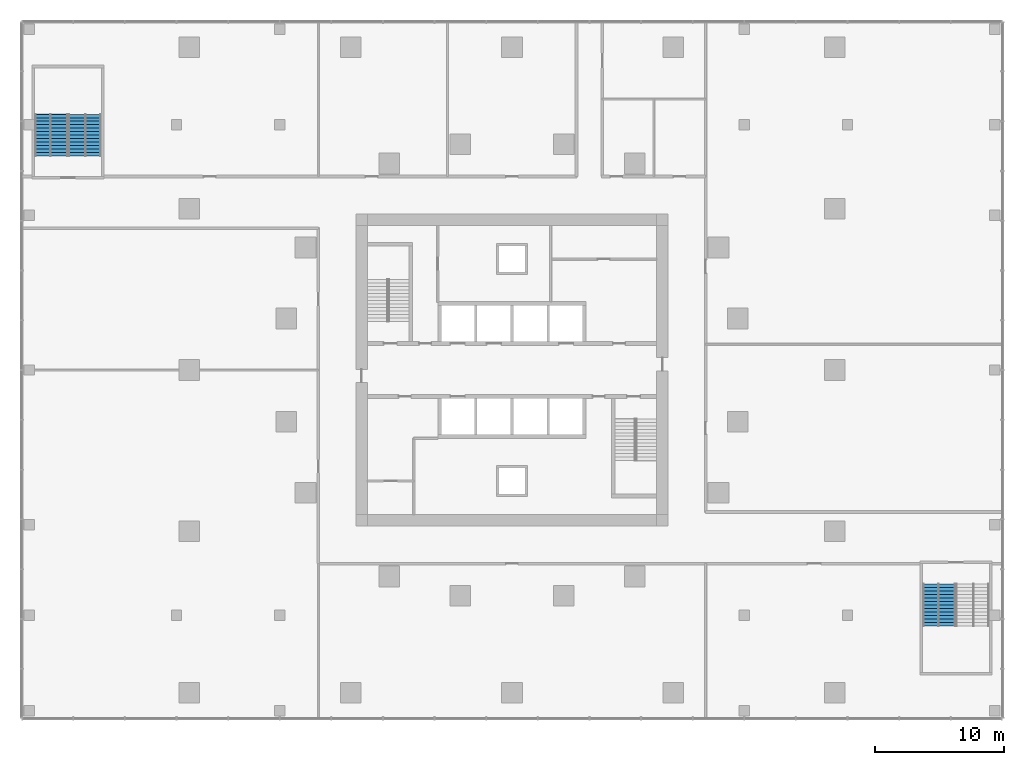
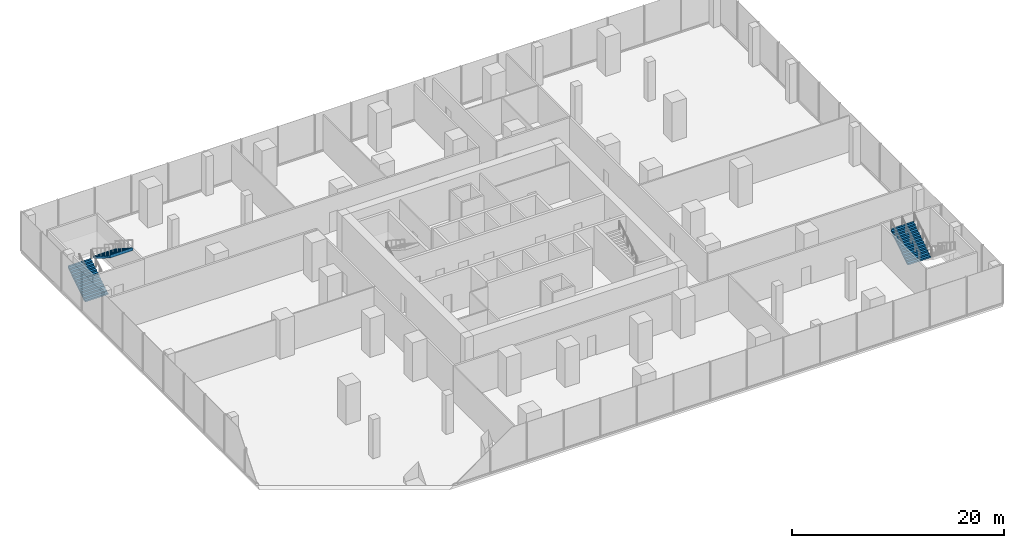
# One storey, part 13 of 15: 3 stair flights, 2 elements without a shape of their own.
"""IFC4 building model written with IfcOpenShell, lengths in metres."""

from ifc_helpers import new_model, si_unit, direction, frame, origin, place, context, subcontext, project, spatial, faceted_brep, material, type_object, element, aggregate, save


model = new_model("IFC4")

# Units and contexts
model_context = context("Model", 3, precision=1e-05, world=origin(), true_north=direction((0.0, 1.0)))
body_context = subcontext(model_context, "Body", "Model", "MODEL_VIEW")
ifc_project = project(units=[si_unit("LENGTHUNIT", "METRE"), si_unit("AREAUNIT", "SQUARE_METRE"), si_unit("VOLUMEUNIT", "CUBIC_METRE"), si_unit("PLANEANGLEUNIT", "RADIAN"), si_unit("MASSUNIT", "GRAM", prefix="KILO")], contexts=[model_context])

# Site, building, storey
site_placement = place(None, origin())
site = spatial("IfcSite", under=ifc_project, at=site_placement, CompositionType="ELEMENT")
building_placement = place(site_placement, origin())
building = spatial("IfcBuilding", under=site, at=building_placement, Name="Torsade Residences", CompositionType="ELEMENT")
storey_placement = place(building_placement, frame((0.0, 0.0, 6.0)))
storey = spatial("IfcBuildingStorey", under=building, at=storey_placement, Name="L01", CompositionType="ELEMENT", Elevation=6.0)

# Stair, stair flights
ifc_material_1 = material(Name="Concrete 40 MPa", Category="concrete")
stair_type = type_object("IfcStairType", Name="HALF-TURN PODIUM STAIR 2500x4500", PredefinedType="HALF_TURN_STAIR", material=ifc_material_1)
stair_1_placement = place(storey_placement, origin())
stair_1 = element("IfcStair", 1, at=stair_1_placement, inside=storey, type_object=stair_type, Name="Stair ST3 L01", PredefinedType="HALF_TURN_STAIR")
ifc_material_2 = material(Name="Concrete 40 MPa", Category="concrete")
stair_flight_type = type_object("IfcStairFlightType", Name="PODIUM STAIR FLIGHT 2500x2250", PredefinedType="STRAIGHT", material=ifc_material_2)
stair_flight_1_placement = place(storey_placement, frame((4.25, 46.580078125, 0.0), z_axis=(0.0, 0.0, 1.0), x_axis=(0.0, 1.0, 0.0)))
stair_flight_1 = element("IfcStairFlight", 2, at=stair_flight_1_placement, type_object=stair_flight_type, Name="ST3 flight 1", NumberOfRisers=13, NumberOfTreads=12, PredefinedType="STRAIGHT", RiserHeight=0.173076923, TreadLength=0.27, context=body_context, shape_type="Brep", body=[
    faceted_brep([(0.0, 1.25, 0.0), (0.0, 1.25, 0.173095703125), (0.27001953125, 1.25, 0.173095703125), (0.27001953125, 1.25, 0.34619140625), (0.5400390625, 1.25, 0.34619140625), (0.5400390625, 1.25, 0.519287109375), (0.81005859375, 1.25, 0.519287109375), (0.81005859375, 1.25, 0.6923828125), (1.080078125, 1.25, 0.6923828125), (1.080078125, 1.25, 0.865478515625), (1.35009765625, 1.25, 0.865478515625), (1.35009765625, 1.25, 1.03857421875), (1.6201171875, 1.25, 1.03857421875), (1.6201171875, 1.25, 1.21142578125), (1.889892578125, 1.25, 1.21142578125), (1.889892578125, 1.25, 1.384521484375), (2.159912109375, 1.25, 1.384521484375), (2.159912109375, 1.25, 1.5576171875), (2.429931640625, 1.25, 1.5576171875), (2.429931640625, 1.25, 1.730712890625), (2.699951171875, 1.25, 1.730712890625), (2.699951171875, 1.25, 1.90380859375), (2.969970703125, 1.25, 1.90380859375), (2.969970703125, 1.25, 2.076904296875), (3.239990234375, 1.25, 2.076904296875), (3.239990234375, 1.25, 2.25), (3.25, 1.25, 2.25), (3.25, 1.25, 1.89892578125), (3.239990234375, 1.25, 1.89892578125), (0.27783203125, 1.25, 0.0), (0.27783203125, -1.25, 0.0), (3.239990234375, -1.25, 1.89892578125), (3.25, -1.25, 1.89892578125), (3.25, -1.25, 2.25), (3.239990234375, -1.25, 2.25), (3.239990234375, -1.25, 2.076904296875), (2.969970703125, -1.25, 2.076904296875), (2.969970703125, -1.25, 1.90380859375), (2.699951171875, -1.25, 1.90380859375), (2.699951171875, -1.25, 1.730712890625), (2.429931640625, -1.25, 1.730712890625), (2.429931640625, -1.25, 1.5576171875), (2.159912109375, -1.25, 1.5576171875), (2.159912109375, -1.25, 1.384521484375), (1.889892578125, -1.25, 1.384521484375), (1.889892578125, -1.25, 1.21142578125), (1.6201171875, -1.25, 1.21142578125), (1.6201171875, -1.25, 1.03857421875), (1.35009765625, -1.25, 1.03857421875), (1.35009765625, -1.25, 0.865478515625), (1.080078125, -1.25, 0.865478515625), (1.080078125, -1.25, 0.6923828125), (0.81005859375, -1.25, 0.6923828125), (0.81005859375, -1.25, 0.519287109375), (0.5400390625, -1.25, 0.519287109375), (0.5400390625, -1.25, 0.34619140625), (0.27001953125, -1.25, 0.34619140625), (0.27001953125, -1.25, 0.173095703125), (0.0, -1.25, 0.173095703125), (0.0, -1.25, 0.0), (0.0, 0.75, 0.0), (0.0, 0.75, 0.173095703125), (0.0, 0.25, 0.0), (0.0, 0.25, 0.173095703125), (0.0, -0.25, 0.0), (0.0, -0.25, 0.173095703125), (0.0, -0.75, 0.0), (0.0, -0.75, 0.173095703125), (0.27001953125, 0.75, 0.173095703125), (0.27001953125, 0.25, 0.173095703125), (0.27001953125, -0.25, 0.173095703125), (0.27001953125, -0.75, 0.173095703125), (0.27001953125, 0.75, 0.34619140625), (0.27001953125, 0.25, 0.34619140625), (0.27001953125, -0.25, 0.34619140625), (0.27001953125, -0.75, 0.34619140625), (0.5400390625, 0.75, 0.34619140625), (0.5400390625, 0.25, 0.34619140625), (0.5400390625, -0.25, 0.34619140625), (0.5400390625, -0.75, 0.34619140625), (0.5400390625, 0.75, 0.519287109375), (0.5400390625, 0.25, 0.519287109375), (0.5400390625, -0.25, 0.519287109375), (0.5400390625, -0.75, 0.519287109375), (0.81005859375, 0.75, 0.519287109375), (0.81005859375, 0.25, 0.519287109375), (0.81005859375, -0.25, 0.519287109375), (0.81005859375, -0.75, 0.519287109375), (0.81005859375, 0.75, 0.6923828125), (0.81005859375, 0.25, 0.6923828125), (0.81005859375, -0.25, 0.6923828125), (0.81005859375, -0.75, 0.6923828125), (1.080078125, 0.75, 0.6923828125), (1.080078125, 0.25, 0.6923828125), (1.080078125, -0.25, 0.6923828125), (1.080078125, -0.75, 0.6923828125), (1.080078125, 0.75, 0.865478515625), (1.080078125, 0.25, 0.865478515625), (1.080078125, -0.25, 0.865478515625), (1.080078125, -0.75, 0.865478515625), (1.35009765625, 0.75, 0.865478515625), (1.35009765625, 0.25, 0.865478515625), (1.35009765625, -0.25, 0.865478515625), (1.35009765625, -0.75, 0.865478515625), (1.35009765625, 0.75, 1.03857421875), (1.35009765625, 0.25, 1.03857421875), (1.35009765625, -0.25, 1.03857421875), (1.35009765625, -0.75, 1.03857421875), (1.6201171875, 0.75, 1.03857421875), (1.6201171875, 0.25, 1.03857421875), (1.6201171875, -0.25, 1.03857421875), (1.6201171875, -0.75, 1.03857421875), (1.6201171875, 0.75, 1.21142578125), (1.6201171875, 0.25, 1.21142578125), (1.6201171875, -0.25, 1.21142578125), (1.6201171875, -0.75, 1.21142578125), (1.889892578125, 0.75, 1.21142578125), (1.889892578125, 0.25, 1.21142578125), (1.889892578125, -0.25, 1.21142578125), (1.889892578125, -0.75, 1.21142578125), (1.889892578125, 0.75, 1.384521484375), (1.889892578125, 0.25, 1.384521484375), (1.889892578125, -0.25, 1.384521484375), (1.889892578125, -0.75, 1.384521484375), (2.159912109375, 0.75, 1.384521484375), (2.159912109375, 0.25, 1.384521484375), (2.159912109375, -0.25, 1.384521484375), (2.159912109375, -0.75, 1.384521484375), (2.159912109375, 0.75, 1.5576171875), (2.159912109375, 0.25, 1.5576171875), (2.159912109375, -0.25, 1.5576171875), (2.159912109375, -0.75, 1.5576171875), (2.429931640625, 0.75, 1.5576171875), (2.429931640625, 0.25, 1.5576171875), (2.429931640625, -0.25, 1.5576171875), (2.429931640625, -0.75, 1.5576171875), (2.429931640625, 0.75, 1.730712890625), (2.429931640625, 0.25, 1.730712890625), (2.429931640625, -0.25, 1.730712890625), (2.429931640625, -0.75, 1.730712890625), (2.699951171875, 0.75, 1.730712890625), (2.699951171875, 0.25, 1.730712890625), (2.699951171875, -0.25, 1.730712890625), (2.699951171875, -0.75, 1.730712890625), (2.699951171875, 0.75, 1.90380859375), (2.699951171875, 0.25, 1.90380859375), (2.699951171875, -0.25, 1.90380859375), (2.699951171875, -0.75, 1.90380859375), (2.969970703125, 0.75, 1.90380859375), (2.969970703125, 0.25, 1.90380859375), (2.969970703125, -0.25, 1.90380859375), (2.969970703125, -0.75, 1.90380859375), (2.969970703125, 0.75, 2.076904296875), (2.969970703125, 0.25, 2.076904296875), (2.969970703125, -0.25, 2.076904296875), (2.969970703125, -0.75, 2.076904296875), (3.239990234375, 0.75, 2.076904296875), (3.239990234375, 0.25, 2.076904296875), (3.239990234375, -0.25, 2.076904296875), (3.239990234375, -0.75, 2.076904296875), (3.239990234375, 0.75, 2.25), (3.239990234375, 0.25, 2.25), (3.239990234375, -0.25, 2.25), (3.239990234375, -0.75, 2.25), (3.25, 0.75, 2.25), (3.25, 0.25, 2.25), (3.25, -0.25, 2.25), (3.25, -0.75, 2.25), (3.25, 0.75, 1.89892578125), (3.25, 0.25, 1.89892578125), (3.25, -0.25, 1.89892578125), (3.25, -0.75, 1.89892578125), (3.239990234375, 0.75, 1.89892578125), (3.239990234375, 0.25, 1.89892578125), (3.239990234375, -0.25, 1.89892578125), (3.239990234375, -0.75, 1.89892578125), (0.27783203125, 0.75, 0.0), (0.27783203125, 0.25, 0.0), (0.27783203125, -0.25, 0.0), (0.27783203125, -0.75, 0.0)], [[[0, 1, 2, 3, 4, 5, 6, 7, 8, 9, 10, 11, 12, 13, 14, 15, 16, 17, 18, 19, 20, 21, 22, 23, 24, 25, 26, 27, 28, 29]], [[30, 31, 32, 33, 34, 35, 36, 37, 38, 39, 40, 41, 42, 43, 44, 45, 46, 47, 48, 49, 50, 51, 52, 53, 54, 55, 56, 57, 58, 59]], [[60, 61, 1, 0]], [[62, 63, 61, 60]], [[64, 65, 63, 62]], [[66, 67, 65, 64]], [[59, 58, 67, 66]], [[61, 68, 2, 1]], [[63, 69, 68, 61]], [[65, 70, 69, 63]], [[67, 71, 70, 65]], [[58, 57, 71, 67]], [[68, 72, 3, 2]], [[69, 73, 72, 68]], [[70, 74, 73, 69]], [[71, 75, 74, 70]], [[57, 56, 75, 71]], [[72, 76, 4, 3]], [[73, 77, 76, 72]], [[74, 78, 77, 73]], [[75, 79, 78, 74]], [[56, 55, 79, 75]], [[76, 80, 5, 4]], [[77, 81, 80, 76]], [[78, 82, 81, 77]], [[79, 83, 82, 78]], [[55, 54, 83, 79]], [[80, 84, 6, 5]], [[81, 85, 84, 80]], [[82, 86, 85, 81]], [[83, 87, 86, 82]], [[54, 53, 87, 83]], [[84, 88, 7, 6]], [[85, 89, 88, 84]], [[86, 90, 89, 85]], [[87, 91, 90, 86]], [[53, 52, 91, 87]], [[88, 92, 8, 7]], [[89, 93, 92, 88]], [[90, 94, 93, 89]], [[91, 95, 94, 90]], [[52, 51, 95, 91]], [[92, 96, 9, 8]], [[93, 97, 96, 92]], [[94, 98, 97, 93]], [[95, 99, 98, 94]], [[51, 50, 99, 95]], [[96, 100, 10, 9]], [[97, 101, 100, 96]], [[98, 102, 101, 97]], [[99, 103, 102, 98]], [[50, 49, 103, 99]], [[100, 104, 11, 10]], [[101, 105, 104, 100]], [[102, 106, 105, 101]], [[103, 107, 106, 102]], [[49, 48, 107, 103]], [[104, 108, 12, 11]], [[105, 109, 108, 104]], [[106, 110, 109, 105]], [[107, 111, 110, 106]], [[48, 47, 111, 107]], [[108, 112, 13, 12]], [[109, 113, 112, 108]], [[110, 114, 113, 109]], [[111, 115, 114, 110]], [[47, 46, 115, 111]], [[112, 116, 14, 13]], [[113, 117, 116, 112]], [[114, 118, 117, 113]], [[115, 119, 118, 114]], [[46, 45, 119, 115]], [[116, 120, 15, 14]], [[117, 121, 120, 116]], [[118, 122, 121, 117]], [[119, 123, 122, 118]], [[45, 44, 123, 119]], [[120, 124, 16, 15]], [[121, 125, 124, 120]], [[122, 126, 125, 121]], [[123, 127, 126, 122]], [[44, 43, 127, 123]], [[124, 128, 17, 16]], [[125, 129, 128, 124]], [[126, 130, 129, 125]], [[127, 131, 130, 126]], [[43, 42, 131, 127]], [[128, 132, 18, 17]], [[129, 133, 132, 128]], [[130, 134, 133, 129]], [[131, 135, 134, 130]], [[42, 41, 135, 131]], [[132, 136, 19, 18]], [[133, 137, 136, 132]], [[134, 138, 137, 133]], [[135, 139, 138, 134]], [[41, 40, 139, 135]], [[136, 140, 20, 19]], [[137, 141, 140, 136]], [[138, 142, 141, 137]], [[139, 143, 142, 138]], [[40, 39, 143, 139]], [[140, 144, 21, 20]], [[141, 145, 144, 140]], [[142, 146, 145, 141]], [[143, 147, 146, 142]], [[39, 38, 147, 143]], [[144, 148, 22, 21]], [[145, 149, 148, 144]], [[146, 150, 149, 145]], [[147, 151, 150, 146]], [[38, 37, 151, 147]], [[148, 152, 23, 22]], [[149, 153, 152, 148]], [[150, 154, 153, 149]], [[151, 155, 154, 150]], [[37, 36, 155, 151]], [[152, 156, 24, 23]], [[153, 157, 156, 152]], [[154, 158, 157, 153]], [[155, 159, 158, 154]], [[36, 35, 159, 155]], [[156, 160, 25, 24]], [[157, 161, 160, 156]], [[158, 162, 161, 157]], [[159, 163, 162, 158]], [[35, 34, 163, 159]], [[160, 164, 26, 25]], [[161, 165, 164, 160]], [[162, 166, 165, 161]], [[163, 167, 166, 162]], [[34, 33, 167, 163]], [[164, 168, 27, 26]], [[165, 169, 168, 164]], [[166, 170, 169, 165]], [[167, 171, 170, 166]], [[33, 32, 171, 167]], [[168, 172, 28, 27]], [[169, 173, 172, 168]], [[170, 174, 173, 169]], [[171, 175, 174, 170]], [[32, 31, 175, 171]], [[172, 176, 29, 28]], [[173, 177, 176, 172]], [[174, 178, 177, 173]], [[175, 179, 178, 174]], [[31, 30, 179, 175]], [[176, 60, 0, 29]], [[177, 62, 60, 176]], [[178, 64, 62, 177]], [[179, 66, 64, 178]], [[30, 59, 66, 179]]]),
])
stair_flight_2_placement = place(storey_placement, frame((6.949951171875, 49.820068359375, 2.25), z_axis=(0.0, 0.0, 1.0), x_axis=(0.0, -1.0, 0.0)))
stair_flight_2 = element("IfcStairFlight", 3, at=stair_flight_2_placement, type_object=stair_flight_type, Name="ST3 flight 2", NumberOfRisers=13, NumberOfTreads=12, PredefinedType="STRAIGHT", RiserHeight=0.173076923, TreadLength=0.27, context=body_context, shape_type="Brep", body=[
    faceted_brep([(0.0, 1.25, 0.0), (0.0, 1.25, 0.173095703125), (0.27001953125, 1.25, 0.173095703125), (0.27001953125, 1.25, 0.34619140625), (0.5400390625, 1.25, 0.34619140625), (0.5400390625, 1.25, 0.519287109375), (0.81005859375, 1.25, 0.519287109375), (0.81005859375, 1.25, 0.6923828125), (1.080078125, 1.25, 0.6923828125), (1.080078125, 1.25, 0.865478515625), (1.35009765625, 1.25, 0.865478515625), (1.35009765625, 1.25, 1.03857421875), (1.6201171875, 1.25, 1.03857421875), (1.6201171875, 1.25, 1.21142578125), (1.889892578125, 1.25, 1.21142578125), (1.889892578125, 1.25, 1.384521484375), (2.159912109375, 1.25, 1.384521484375), (2.159912109375, 1.25, 1.5576171875), (2.429931640625, 1.25, 1.5576171875), (2.429931640625, 1.25, 1.730712890625), (2.699951171875, 1.25, 1.730712890625), (2.699951171875, 1.25, 1.90380859375), (2.969970703125, 1.25, 1.90380859375), (2.969970703125, 1.25, 2.076904296875), (3.239990234375, 1.25, 2.076904296875), (3.239990234375, 1.25, 2.25), (3.25, 1.25, 2.25), (3.25, 1.25, 1.89892578125), (3.239990234375, 1.25, 1.89892578125), (0.27783203125, 1.25, 0.0), (0.27783203125, -1.25, 0.0), (3.239990234375, -1.25, 1.89892578125), (3.25, -1.25, 1.89892578125), (3.25, -1.25, 2.25), (3.239990234375, -1.25, 2.25), (3.239990234375, -1.25, 2.076904296875), (2.969970703125, -1.25, 2.076904296875), (2.969970703125, -1.25, 1.90380859375), (2.699951171875, -1.25, 1.90380859375), (2.699951171875, -1.25, 1.730712890625), (2.429931640625, -1.25, 1.730712890625), (2.429931640625, -1.25, 1.5576171875), (2.159912109375, -1.25, 1.5576171875), (2.159912109375, -1.25, 1.384521484375), (1.889892578125, -1.25, 1.384521484375), (1.889892578125, -1.25, 1.21142578125), (1.6201171875, -1.25, 1.21142578125), (1.6201171875, -1.25, 1.03857421875), (1.35009765625, -1.25, 1.03857421875), (1.35009765625, -1.25, 0.865478515625), (1.080078125, -1.25, 0.865478515625), (1.080078125, -1.25, 0.6923828125), (0.81005859375, -1.25, 0.6923828125), (0.81005859375, -1.25, 0.519287109375), (0.5400390625, -1.25, 0.519287109375), (0.5400390625, -1.25, 0.34619140625), (0.27001953125, -1.25, 0.34619140625), (0.27001953125, -1.25, 0.173095703125), (0.0, -1.25, 0.173095703125), (0.0, -1.25, 0.0), (0.0, 0.75, 0.0), (0.0, 0.75, 0.173095703125), (0.0, 0.25, 0.0), (0.0, 0.25, 0.173095703125), (0.0, -0.25, 0.0), (0.0, -0.25, 0.173095703125), (0.0, -0.75, 0.0), (0.0, -0.75, 0.173095703125), (0.27001953125, 0.75, 0.173095703125), (0.27001953125, 0.25, 0.173095703125), (0.27001953125, -0.25, 0.173095703125), (0.27001953125, -0.75, 0.173095703125), (0.27001953125, 0.75, 0.34619140625), (0.27001953125, 0.25, 0.34619140625), (0.27001953125, -0.25, 0.34619140625), (0.27001953125, -0.75, 0.34619140625), (0.5400390625, 0.75, 0.34619140625), (0.5400390625, 0.25, 0.34619140625), (0.5400390625, -0.25, 0.34619140625), (0.5400390625, -0.75, 0.34619140625), (0.5400390625, 0.75, 0.519287109375), (0.5400390625, 0.25, 0.519287109375), (0.5400390625, -0.25, 0.519287109375), (0.5400390625, -0.75, 0.519287109375), (0.81005859375, 0.75, 0.519287109375), (0.81005859375, 0.25, 0.519287109375), (0.81005859375, -0.25, 0.519287109375), (0.81005859375, -0.75, 0.519287109375), (0.81005859375, 0.75, 0.6923828125), (0.81005859375, 0.25, 0.6923828125), (0.81005859375, -0.25, 0.6923828125), (0.81005859375, -0.75, 0.6923828125), (1.080078125, 0.75, 0.6923828125), (1.080078125, 0.25, 0.6923828125), (1.080078125, -0.25, 0.6923828125), (1.080078125, -0.75, 0.6923828125), (1.080078125, 0.75, 0.865478515625), (1.080078125, 0.25, 0.865478515625), (1.080078125, -0.25, 0.865478515625), (1.080078125, -0.75, 0.865478515625), (1.35009765625, 0.75, 0.865478515625), (1.35009765625, 0.25, 0.865478515625), (1.35009765625, -0.25, 0.865478515625), (1.35009765625, -0.75, 0.865478515625), (1.35009765625, 0.75, 1.03857421875), (1.35009765625, 0.25, 1.03857421875), (1.35009765625, -0.25, 1.03857421875), (1.35009765625, -0.75, 1.03857421875), (1.6201171875, 0.75, 1.03857421875), (1.6201171875, 0.25, 1.03857421875), (1.6201171875, -0.25, 1.03857421875), (1.6201171875, -0.75, 1.03857421875), (1.6201171875, 0.75, 1.21142578125), (1.6201171875, 0.25, 1.21142578125), (1.6201171875, -0.25, 1.21142578125), (1.6201171875, -0.75, 1.21142578125), (1.889892578125, 0.75, 1.21142578125), (1.889892578125, 0.25, 1.21142578125), (1.889892578125, -0.25, 1.21142578125), (1.889892578125, -0.75, 1.21142578125), (1.889892578125, 0.75, 1.384521484375), (1.889892578125, 0.25, 1.384521484375), (1.889892578125, -0.25, 1.384521484375), (1.889892578125, -0.75, 1.384521484375), (2.159912109375, 0.75, 1.384521484375), (2.159912109375, 0.25, 1.384521484375), (2.159912109375, -0.25, 1.384521484375), (2.159912109375, -0.75, 1.384521484375), (2.159912109375, 0.75, 1.5576171875), (2.159912109375, 0.25, 1.5576171875), (2.159912109375, -0.25, 1.5576171875), (2.159912109375, -0.75, 1.5576171875), (2.429931640625, 0.75, 1.5576171875), (2.429931640625, 0.25, 1.5576171875), (2.429931640625, -0.25, 1.5576171875), (2.429931640625, -0.75, 1.5576171875), (2.429931640625, 0.75, 1.730712890625), (2.429931640625, 0.25, 1.730712890625), (2.429931640625, -0.25, 1.730712890625), (2.429931640625, -0.75, 1.730712890625), (2.699951171875, 0.75, 1.730712890625), (2.699951171875, 0.25, 1.730712890625), (2.699951171875, -0.25, 1.730712890625), (2.699951171875, -0.75, 1.730712890625), (2.699951171875, 0.75, 1.90380859375), (2.699951171875, 0.25, 1.90380859375), (2.699951171875, -0.25, 1.90380859375), (2.699951171875, -0.75, 1.90380859375), (2.969970703125, 0.75, 1.90380859375), (2.969970703125, 0.25, 1.90380859375), (2.969970703125, -0.25, 1.90380859375), (2.969970703125, -0.75, 1.90380859375), (2.969970703125, 0.75, 2.076904296875), (2.969970703125, 0.25, 2.076904296875), (2.969970703125, -0.25, 2.076904296875), (2.969970703125, -0.75, 2.076904296875), (3.239990234375, 0.75, 2.076904296875), (3.239990234375, 0.25, 2.076904296875), (3.239990234375, -0.25, 2.076904296875), (3.239990234375, -0.75, 2.076904296875), (3.239990234375, 0.75, 2.25), (3.239990234375, 0.25, 2.25), (3.239990234375, -0.25, 2.25), (3.239990234375, -0.75, 2.25), (3.25, 0.75, 2.25), (3.25, 0.25, 2.25), (3.25, -0.25, 2.25), (3.25, -0.75, 2.25), (3.25, 0.75, 1.89892578125), (3.25, 0.25, 1.89892578125), (3.25, -0.25, 1.89892578125), (3.25, -0.75, 1.89892578125), (3.239990234375, 0.75, 1.89892578125), (3.239990234375, 0.25, 1.89892578125), (3.239990234375, -0.25, 1.89892578125), (3.239990234375, -0.75, 1.89892578125), (0.27783203125, 0.75, 0.0), (0.27783203125, 0.25, 0.0), (0.27783203125, -0.25, 0.0), (0.27783203125, -0.75, 0.0)], [[[0, 1, 2, 3, 4, 5, 6, 7, 8, 9, 10, 11, 12, 13, 14, 15, 16, 17, 18, 19, 20, 21, 22, 23, 24, 25, 26, 27, 28, 29]], [[30, 31, 32, 33, 34, 35, 36, 37, 38, 39, 40, 41, 42, 43, 44, 45, 46, 47, 48, 49, 50, 51, 52, 53, 54, 55, 56, 57, 58, 59]], [[60, 61, 1, 0]], [[62, 63, 61, 60]], [[64, 65, 63, 62]], [[66, 67, 65, 64]], [[59, 58, 67, 66]], [[61, 68, 2, 1]], [[63, 69, 68, 61]], [[65, 70, 69, 63]], [[67, 71, 70, 65]], [[58, 57, 71, 67]], [[68, 72, 3, 2]], [[69, 73, 72, 68]], [[70, 74, 73, 69]], [[71, 75, 74, 70]], [[57, 56, 75, 71]], [[72, 76, 4, 3]], [[73, 77, 76, 72]], [[74, 78, 77, 73]], [[75, 79, 78, 74]], [[56, 55, 79, 75]], [[76, 80, 5, 4]], [[77, 81, 80, 76]], [[78, 82, 81, 77]], [[79, 83, 82, 78]], [[55, 54, 83, 79]], [[80, 84, 6, 5]], [[81, 85, 84, 80]], [[82, 86, 85, 81]], [[83, 87, 86, 82]], [[54, 53, 87, 83]], [[84, 88, 7, 6]], [[85, 89, 88, 84]], [[86, 90, 89, 85]], [[87, 91, 90, 86]], [[53, 52, 91, 87]], [[88, 92, 8, 7]], [[89, 93, 92, 88]], [[90, 94, 93, 89]], [[91, 95, 94, 90]], [[52, 51, 95, 91]], [[92, 96, 9, 8]], [[93, 97, 96, 92]], [[94, 98, 97, 93]], [[95, 99, 98, 94]], [[51, 50, 99, 95]], [[96, 100, 10, 9]], [[97, 101, 100, 96]], [[98, 102, 101, 97]], [[99, 103, 102, 98]], [[50, 49, 103, 99]], [[100, 104, 11, 10]], [[101, 105, 104, 100]], [[102, 106, 105, 101]], [[103, 107, 106, 102]], [[49, 48, 107, 103]], [[104, 108, 12, 11]], [[105, 109, 108, 104]], [[106, 110, 109, 105]], [[107, 111, 110, 106]], [[48, 47, 111, 107]], [[108, 112, 13, 12]], [[109, 113, 112, 108]], [[110, 114, 113, 109]], [[111, 115, 114, 110]], [[47, 46, 115, 111]], [[112, 116, 14, 13]], [[113, 117, 116, 112]], [[114, 118, 117, 113]], [[115, 119, 118, 114]], [[46, 45, 119, 115]], [[116, 120, 15, 14]], [[117, 121, 120, 116]], [[118, 122, 121, 117]], [[119, 123, 122, 118]], [[45, 44, 123, 119]], [[120, 124, 16, 15]], [[121, 125, 124, 120]], [[122, 126, 125, 121]], [[123, 127, 126, 122]], [[44, 43, 127, 123]], [[124, 128, 17, 16]], [[125, 129, 128, 124]], [[126, 130, 129, 125]], [[127, 131, 130, 126]], [[43, 42, 131, 127]], [[128, 132, 18, 17]], [[129, 133, 132, 128]], [[130, 134, 133, 129]], [[131, 135, 134, 130]], [[42, 41, 135, 131]], [[132, 136, 19, 18]], [[133, 137, 136, 132]], [[134, 138, 137, 133]], [[135, 139, 138, 134]], [[41, 40, 139, 135]], [[136, 140, 20, 19]], [[137, 141, 140, 136]], [[138, 142, 141, 137]], [[139, 143, 142, 138]], [[40, 39, 143, 139]], [[140, 144, 21, 20]], [[141, 145, 144, 140]], [[142, 146, 145, 141]], [[143, 147, 146, 142]], [[39, 38, 147, 143]], [[144, 148, 22, 21]], [[145, 149, 148, 144]], [[146, 150, 149, 145]], [[147, 151, 150, 146]], [[38, 37, 151, 147]], [[148, 152, 23, 22]], [[149, 153, 152, 148]], [[150, 154, 153, 149]], [[151, 155, 154, 150]], [[37, 36, 155, 151]], [[152, 156, 24, 23]], [[153, 157, 156, 152]], [[154, 158, 157, 153]], [[155, 159, 158, 154]], [[36, 35, 159, 155]], [[156, 160, 25, 24]], [[157, 161, 160, 156]], [[158, 162, 161, 157]], [[159, 163, 162, 158]], [[35, 34, 163, 159]], [[160, 164, 26, 25]], [[161, 165, 164, 160]], [[162, 166, 165, 161]], [[163, 167, 166, 162]], [[34, 33, 167, 163]], [[164, 168, 27, 26]], [[165, 169, 168, 164]], [[166, 170, 169, 165]], [[167, 171, 170, 166]], [[33, 32, 171, 167]], [[168, 172, 28, 27]], [[169, 173, 172, 168]], [[170, 174, 173, 169]], [[171, 175, 174, 170]], [[32, 31, 175, 171]], [[172, 176, 29, 28]], [[173, 177, 176, 172]], [[174, 178, 177, 173]], [[175, 179, 178, 174]], [[31, 30, 179, 175]], [[176, 60, 0, 29]], [[177, 62, 60, 176]], [[178, 64, 62, 177]], [[179, 66, 64, 178]], [[30, 59, 66, 179]]]),
])
aggregate(stair_1, [stair_flight_1, stair_flight_2])

# Stair, stair flight
stair_2_placement = place(storey_placement, origin())
stair_2 = element("IfcStair", 4, at=stair_2_placement, inside=storey, type_object=stair_type, Name="Stair ST4 L01", PredefinedType="HALF_TURN_STAIR")
stair_flight_3_placement = place(storey_placement, frame((73.050048828125, 10.179931640625, 2.25), z_axis=(0.0, 0.0, 1.0), x_axis=(0.0, 1.0, 0.0)))
stair_flight_3 = element("IfcStairFlight", 5, at=stair_flight_3_placement, type_object=stair_flight_type, Name="ST4 flight 2", NumberOfRisers=13, NumberOfTreads=12, PredefinedType="STRAIGHT", RiserHeight=0.173076923, TreadLength=0.27, context=body_context, shape_type="Brep", body=[
    faceted_brep([(0.0, 1.25, 0.0), (0.0, 1.25, 0.173095703125), (0.27001953125, 1.25, 0.173095703125), (0.27001953125, 1.25, 0.34619140625), (0.5400390625, 1.25, 0.34619140625), (0.5400390625, 1.25, 0.519287109375), (0.81005859375, 1.25, 0.519287109375), (0.81005859375, 1.25, 0.6923828125), (1.080078125, 1.25, 0.6923828125), (1.080078125, 1.25, 0.865478515625), (1.35009765625, 1.25, 0.865478515625), (1.35009765625, 1.25, 1.03857421875), (1.6201171875, 1.25, 1.03857421875), (1.6201171875, 1.25, 1.21142578125), (1.889892578125, 1.25, 1.21142578125), (1.889892578125, 1.25, 1.384521484375), (2.159912109375, 1.25, 1.384521484375), (2.159912109375, 1.25, 1.5576171875), (2.429931640625, 1.25, 1.5576171875), (2.429931640625, 1.25, 1.730712890625), (2.699951171875, 1.25, 1.730712890625), (2.699951171875, 1.25, 1.90380859375), (2.969970703125, 1.25, 1.90380859375), (2.969970703125, 1.25, 2.076904296875), (3.239990234375, 1.25, 2.076904296875), (3.239990234375, 1.25, 2.25), (3.25, 1.25, 2.25), (3.25, 1.25, 1.89892578125), (3.239990234375, 1.25, 1.89892578125), (0.27783203125, 1.25, 0.0), (0.27783203125, -1.25, 0.0), (3.239990234375, -1.25, 1.89892578125), (3.25, -1.25, 1.89892578125), (3.25, -1.25, 2.25), (3.239990234375, -1.25, 2.25), (3.239990234375, -1.25, 2.076904296875), (2.969970703125, -1.25, 2.076904296875), (2.969970703125, -1.25, 1.90380859375), (2.699951171875, -1.25, 1.90380859375), (2.699951171875, -1.25, 1.730712890625), (2.429931640625, -1.25, 1.730712890625), (2.429931640625, -1.25, 1.5576171875), (2.159912109375, -1.25, 1.5576171875), (2.159912109375, -1.25, 1.384521484375), (1.889892578125, -1.25, 1.384521484375), (1.889892578125, -1.25, 1.21142578125), (1.6201171875, -1.25, 1.21142578125), (1.6201171875, -1.25, 1.03857421875), (1.35009765625, -1.25, 1.03857421875), (1.35009765625, -1.25, 0.865478515625), (1.080078125, -1.25, 0.865478515625), (1.080078125, -1.25, 0.6923828125), (0.81005859375, -1.25, 0.6923828125), (0.81005859375, -1.25, 0.519287109375), (0.5400390625, -1.25, 0.519287109375), (0.5400390625, -1.25, 0.34619140625), (0.27001953125, -1.25, 0.34619140625), (0.27001953125, -1.25, 0.173095703125), (0.0, -1.25, 0.173095703125), (0.0, -1.25, 0.0), (0.0, 0.75, 0.0), (0.0, 0.75, 0.173095703125), (0.0, 0.25, 0.0), (0.0, 0.25, 0.173095703125), (0.0, -0.25, 0.0), (0.0, -0.25, 0.173095703125), (0.0, -0.75, 0.0), (0.0, -0.75, 0.173095703125), (0.27001953125, 0.75, 0.173095703125), (0.27001953125, 0.25, 0.173095703125), (0.27001953125, -0.25, 0.173095703125), (0.27001953125, -0.75, 0.173095703125), (0.27001953125, 0.75, 0.34619140625), (0.27001953125, 0.25, 0.34619140625), (0.27001953125, -0.25, 0.34619140625), (0.27001953125, -0.75, 0.34619140625), (0.5400390625, 0.75, 0.34619140625), (0.5400390625, 0.25, 0.34619140625), (0.5400390625, -0.25, 0.34619140625), (0.5400390625, -0.75, 0.34619140625), (0.5400390625, 0.75, 0.519287109375), (0.5400390625, 0.25, 0.519287109375), (0.5400390625, -0.25, 0.519287109375), (0.5400390625, -0.75, 0.519287109375), (0.81005859375, 0.75, 0.519287109375), (0.81005859375, 0.25, 0.519287109375), (0.81005859375, -0.25, 0.519287109375), (0.81005859375, -0.75, 0.519287109375), (0.81005859375, 0.75, 0.6923828125), (0.81005859375, 0.25, 0.6923828125), (0.81005859375, -0.25, 0.6923828125), (0.81005859375, -0.75, 0.6923828125), (1.080078125, 0.75, 0.6923828125), (1.080078125, 0.25, 0.6923828125), (1.080078125, -0.25, 0.6923828125), (1.080078125, -0.75, 0.6923828125), (1.080078125, 0.75, 0.865478515625), (1.080078125, 0.25, 0.865478515625), (1.080078125, -0.25, 0.865478515625), (1.080078125, -0.75, 0.865478515625), (1.35009765625, 0.75, 0.865478515625), (1.35009765625, 0.25, 0.865478515625), (1.35009765625, -0.25, 0.865478515625), (1.35009765625, -0.75, 0.865478515625), (1.35009765625, 0.75, 1.03857421875), (1.35009765625, 0.25, 1.03857421875), (1.35009765625, -0.25, 1.03857421875), (1.35009765625, -0.75, 1.03857421875), (1.6201171875, 0.75, 1.03857421875), (1.6201171875, 0.25, 1.03857421875), (1.6201171875, -0.25, 1.03857421875), (1.6201171875, -0.75, 1.03857421875), (1.6201171875, 0.75, 1.21142578125), (1.6201171875, 0.25, 1.21142578125), (1.6201171875, -0.25, 1.21142578125), (1.6201171875, -0.75, 1.21142578125), (1.889892578125, 0.75, 1.21142578125), (1.889892578125, 0.25, 1.21142578125), (1.889892578125, -0.25, 1.21142578125), (1.889892578125, -0.75, 1.21142578125), (1.889892578125, 0.75, 1.384521484375), (1.889892578125, 0.25, 1.384521484375), (1.889892578125, -0.25, 1.384521484375), (1.889892578125, -0.75, 1.384521484375), (2.159912109375, 0.75, 1.384521484375), (2.159912109375, 0.25, 1.384521484375), (2.159912109375, -0.25, 1.384521484375), (2.159912109375, -0.75, 1.384521484375), (2.159912109375, 0.75, 1.5576171875), (2.159912109375, 0.25, 1.5576171875), (2.159912109375, -0.25, 1.5576171875), (2.159912109375, -0.75, 1.5576171875), (2.429931640625, 0.75, 1.5576171875), (2.429931640625, 0.25, 1.5576171875), (2.429931640625, -0.25, 1.5576171875), (2.429931640625, -0.75, 1.5576171875), (2.429931640625, 0.75, 1.730712890625), (2.429931640625, 0.25, 1.730712890625), (2.429931640625, -0.25, 1.730712890625), (2.429931640625, -0.75, 1.730712890625), (2.699951171875, 0.75, 1.730712890625), (2.699951171875, 0.25, 1.730712890625), (2.699951171875, -0.25, 1.730712890625), (2.699951171875, -0.75, 1.730712890625), (2.699951171875, 0.75, 1.90380859375), (2.699951171875, 0.25, 1.90380859375), (2.699951171875, -0.25, 1.90380859375), (2.699951171875, -0.75, 1.90380859375), (2.969970703125, 0.75, 1.90380859375), (2.969970703125, 0.25, 1.90380859375), (2.969970703125, -0.25, 1.90380859375), (2.969970703125, -0.75, 1.90380859375), (2.969970703125, 0.75, 2.076904296875), (2.969970703125, 0.25, 2.076904296875), (2.969970703125, -0.25, 2.076904296875), (2.969970703125, -0.75, 2.076904296875), (3.239990234375, 0.75, 2.076904296875), (3.239990234375, 0.25, 2.076904296875), (3.239990234375, -0.25, 2.076904296875), (3.239990234375, -0.75, 2.076904296875), (3.239990234375, 0.75, 2.25), (3.239990234375, 0.25, 2.25), (3.239990234375, -0.25, 2.25), (3.239990234375, -0.75, 2.25), (3.25, 0.75, 2.25), (3.25, 0.25, 2.25), (3.25, -0.25, 2.25), (3.25, -0.75, 2.25), (3.25, 0.75, 1.89892578125), (3.25, 0.25, 1.89892578125), (3.25, -0.25, 1.89892578125), (3.25, -0.75, 1.89892578125), (3.239990234375, 0.75, 1.89892578125), (3.239990234375, 0.25, 1.89892578125), (3.239990234375, -0.25, 1.89892578125), (3.239990234375, -0.75, 1.89892578125), (0.27783203125, 0.75, 0.0), (0.27783203125, 0.25, 0.0), (0.27783203125, -0.25, 0.0), (0.27783203125, -0.75, 0.0)], [[[0, 1, 2, 3, 4, 5, 6, 7, 8, 9, 10, 11, 12, 13, 14, 15, 16, 17, 18, 19, 20, 21, 22, 23, 24, 25, 26, 27, 28, 29]], [[30, 31, 32, 33, 34, 35, 36, 37, 38, 39, 40, 41, 42, 43, 44, 45, 46, 47, 48, 49, 50, 51, 52, 53, 54, 55, 56, 57, 58, 59]], [[60, 61, 1, 0]], [[62, 63, 61, 60]], [[64, 65, 63, 62]], [[66, 67, 65, 64]], [[59, 58, 67, 66]], [[61, 68, 2, 1]], [[63, 69, 68, 61]], [[65, 70, 69, 63]], [[67, 71, 70, 65]], [[58, 57, 71, 67]], [[68, 72, 3, 2]], [[69, 73, 72, 68]], [[70, 74, 73, 69]], [[71, 75, 74, 70]], [[57, 56, 75, 71]], [[72, 76, 4, 3]], [[73, 77, 76, 72]], [[74, 78, 77, 73]], [[75, 79, 78, 74]], [[56, 55, 79, 75]], [[76, 80, 5, 4]], [[77, 81, 80, 76]], [[78, 82, 81, 77]], [[79, 83, 82, 78]], [[55, 54, 83, 79]], [[80, 84, 6, 5]], [[81, 85, 84, 80]], [[82, 86, 85, 81]], [[83, 87, 86, 82]], [[54, 53, 87, 83]], [[84, 88, 7, 6]], [[85, 89, 88, 84]], [[86, 90, 89, 85]], [[87, 91, 90, 86]], [[53, 52, 91, 87]], [[88, 92, 8, 7]], [[89, 93, 92, 88]], [[90, 94, 93, 89]], [[91, 95, 94, 90]], [[52, 51, 95, 91]], [[92, 96, 9, 8]], [[93, 97, 96, 92]], [[94, 98, 97, 93]], [[95, 99, 98, 94]], [[51, 50, 99, 95]], [[96, 100, 10, 9]], [[97, 101, 100, 96]], [[98, 102, 101, 97]], [[99, 103, 102, 98]], [[50, 49, 103, 99]], [[100, 104, 11, 10]], [[101, 105, 104, 100]], [[102, 106, 105, 101]], [[103, 107, 106, 102]], [[49, 48, 107, 103]], [[104, 108, 12, 11]], [[105, 109, 108, 104]], [[106, 110, 109, 105]], [[107, 111, 110, 106]], [[48, 47, 111, 107]], [[108, 112, 13, 12]], [[109, 113, 112, 108]], [[110, 114, 113, 109]], [[111, 115, 114, 110]], [[47, 46, 115, 111]], [[112, 116, 14, 13]], [[113, 117, 116, 112]], [[114, 118, 117, 113]], [[115, 119, 118, 114]], [[46, 45, 119, 115]], [[116, 120, 15, 14]], [[117, 121, 120, 116]], [[118, 122, 121, 117]], [[119, 123, 122, 118]], [[45, 44, 123, 119]], [[120, 124, 16, 15]], [[121, 125, 124, 120]], [[122, 126, 125, 121]], [[123, 127, 126, 122]], [[44, 43, 127, 123]], [[124, 128, 17, 16]], [[125, 129, 128, 124]], [[126, 130, 129, 125]], [[127, 131, 130, 126]], [[43, 42, 131, 127]], [[128, 132, 18, 17]], [[129, 133, 132, 128]], [[130, 134, 133, 129]], [[131, 135, 134, 130]], [[42, 41, 135, 131]], [[132, 136, 19, 18]], [[133, 137, 136, 132]], [[134, 138, 137, 133]], [[135, 139, 138, 134]], [[41, 40, 139, 135]], [[136, 140, 20, 19]], [[137, 141, 140, 136]], [[138, 142, 141, 137]], [[139, 143, 142, 138]], [[40, 39, 143, 139]], [[140, 144, 21, 20]], [[141, 145, 144, 140]], [[142, 146, 145, 141]], [[143, 147, 146, 142]], [[39, 38, 147, 143]], [[144, 148, 22, 21]], [[145, 149, 148, 144]], [[146, 150, 149, 145]], [[147, 151, 150, 146]], [[38, 37, 151, 147]], [[148, 152, 23, 22]], [[149, 153, 152, 148]], [[150, 154, 153, 149]], [[151, 155, 154, 150]], [[37, 36, 155, 151]], [[152, 156, 24, 23]], [[153, 157, 156, 152]], [[154, 158, 157, 153]], [[155, 159, 158, 154]], [[36, 35, 159, 155]], [[156, 160, 25, 24]], [[157, 161, 160, 156]], [[158, 162, 161, 157]], [[159, 163, 162, 158]], [[35, 34, 163, 159]], [[160, 164, 26, 25]], [[161, 165, 164, 160]], [[162, 166, 165, 161]], [[163, 167, 166, 162]], [[34, 33, 167, 163]], [[164, 168, 27, 26]], [[165, 169, 168, 164]], [[166, 170, 169, 165]], [[167, 171, 170, 166]], [[33, 32, 171, 167]], [[168, 172, 28, 27]], [[169, 173, 172, 168]], [[170, 174, 173, 169]], [[171, 175, 174, 170]], [[32, 31, 175, 171]], [[172, 176, 29, 28]], [[173, 177, 176, 172]], [[174, 178, 177, 173]], [[175, 179, 178, 174]], [[31, 30, 179, 175]], [[176, 60, 0, 29]], [[177, 62, 60, 176]], [[178, 64, 62, 177]], [[179, 66, 64, 178]], [[30, 59, 66, 179]]]),
])
aggregate(stair_2, [stair_flight_3])

save(model, "model.ifc")
